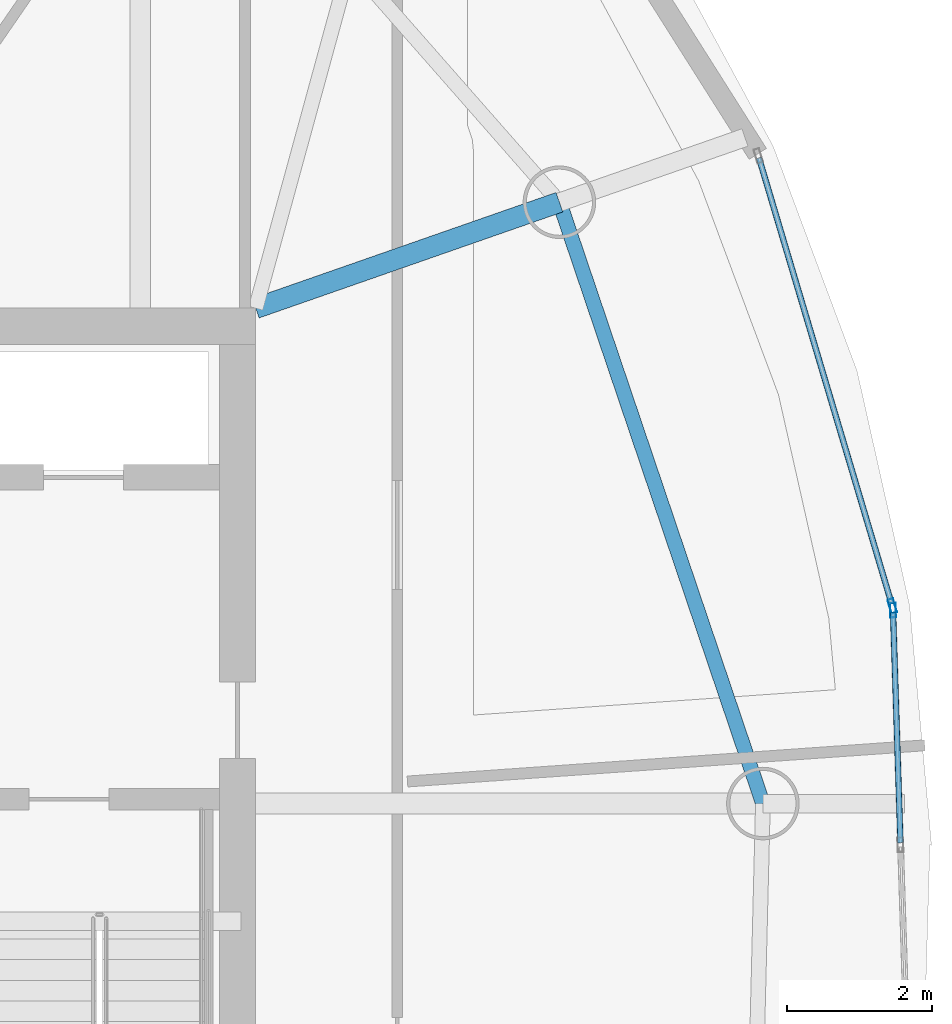
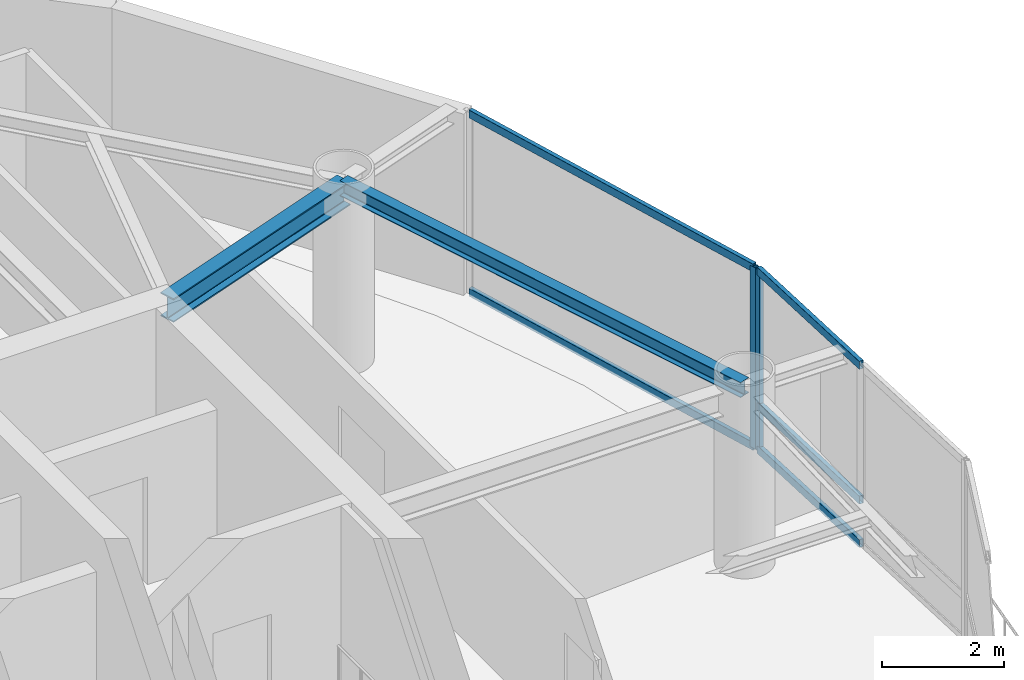
# One storey, part 10 of 23: 7 members, 2 beams, 2 elements without a shape of their own.
"""IFC4 building model written with IfcOpenShell, lengths in metres."""

import ifcopenshell
import ifcopenshell.guid

model = None  # the IFC model being written
_history = None  # IfcOwnerHistory: only IFC2X3 demands one
_inside = {}  # id of a spatial element -> (the spatial element, [elements in it])
_under = {}  # id of a project, library or spatial element -> (it, [spatial elements below it])
_declared = {}  # id of a project -> (the project, [libraries it declares])
_typed = {}  # id of a type object -> (the type object, [elements of that type])
_made_of = {}  # id of a material, layer set ... -> (it, [elements and type objects made of it])


def new_model(schema):
    """Start an empty IFC model of exactly this schema.

    Asked for "IFC4X3", IfcOpenShell would pick the latest addendum, in which some entities
    have other attributes; the version numbers below select the first issue.
    IFC2X3 requires an IfcOwnerHistory on every rooted entity: one is made here for all.
    """
    global model, _history
    if schema == "IFC4X3":
        model = ifcopenshell.file(schema_version=(4, 3, 0, 0))
    else:
        model = ifcopenshell.file(schema=schema)
    _inside.clear()
    _under.clear()
    _declared.clear()
    _typed.clear()
    _made_of.clear()
    _history = None
    if model.schema == "IFC2X3":
        org = make("IfcOrganization", Name="unknown")
        user = make(
            "IfcPersonAndOrganization",
            ThePerson=make("IfcPerson", FamilyName="unknown"),
            TheOrganization=org,
        )
        app = make(
            "IfcApplication",
            ApplicationDeveloper=org,
            Version="unknown",
            ApplicationFullName="unknown",
            ApplicationIdentifier="unknown",
        )
        _history = make(
            "IfcOwnerHistory",
            OwningUser=user,
            OwningApplication=app,
            ChangeAction="ADDED",
            CreationDate=0,
        )
    return model


def make(cls, **values):
    """One entity of the class cls with the attributes given. An attribute that is None is left unset."""
    return model.create_entity(
        cls, **{name: value for name, value in values.items() if value is not None}
    )


def rooted(cls, **values):
    """An entity with a GlobalId (a new one), such as an element, a storey or a relation."""
    return make(cls, GlobalId=ifcopenshell.guid.new(), OwnerHistory=_history, **values)


def si_unit(unit_type, name, prefix=None):
    """IfcSIUnit, for example si_unit("LENGTHUNIT", "METRE", prefix="MILLI")."""
    return make("IfcSIUnit", UnitType=unit_type, Prefix=prefix, Name=name)


def assignment(units):
    """IfcUnitAssignment: the units of a project."""
    return None if units is None else make("IfcUnitAssignment", Units=units)


def point(xyz):
    """IfcCartesianPoint."""
    return None if xyz is None else make("IfcCartesianPoint", Coordinates=xyz)


def direction(xyz):
    """IfcDirection."""
    return None if xyz is None else make("IfcDirection", DirectionRatios=xyz)


def frame(location, z_axis=None, x_axis=None):
    """IfcAxis2Placement3D, a coordinate frame: its origin and axes. An axis left out is left unset."""
    return make(
        "IfcAxis2Placement3D",
        Location=point(location),
        Axis=direction(z_axis),
        RefDirection=direction(x_axis),
    )


def frame_2d(location, x_axis=None):
    """IfcAxis2Placement2D, a coordinate frame in the plane: its origin and x axis."""
    return make(
        "IfcAxis2Placement2D", Location=point(location), RefDirection=direction(x_axis)
    )


def origin():
    """The frame at (0, 0, 0) with its axes left unset."""
    return frame((0.0, 0.0, 0.0))


def origin_2d():
    """The frame at (0, 0) in the plane with its x axis left unset."""
    return frame_2d((0.0, 0.0))


def place(relative_to, where):
    """IfcLocalPlacement: puts the frame where relative to a parent placement (None: the world)."""
    return make(
        "IfcLocalPlacement", PlacementRelTo=relative_to, RelativePlacement=where
    )


def context(
    kind, dimensions, precision=None, world=None, true_north=None, identifier=None
):
    """IfcGeometricRepresentationContext, for example the 3D "Model" context."""
    return make(
        "IfcGeometricRepresentationContext",
        ContextIdentifier=identifier,
        ContextType=kind,
        CoordinateSpaceDimension=dimensions,
        Precision=precision,
        WorldCoordinateSystem=world,
        TrueNorth=true_north,
    )


def subcontext(parent, identifier, kind, view, scale=None):
    """IfcGeometricRepresentationSubContext, for example "Body" below "Model"."""
    return make(
        "IfcGeometricRepresentationSubContext",
        ContextIdentifier=identifier,
        ContextType=kind,
        ParentContext=parent,
        TargetScale=scale,
        TargetView=view,
    )


def project(units=None, contexts=None):
    """IfcProject with its units and contexts."""
    return rooted(
        "IfcProject",
        Name="project",
        RepresentationContexts=contexts,
        UnitsInContext=assignment(units),
    )


def spatial(cls, under=None, at=None, **own):
    """A site, building, storey or space (cls), placed at a placement, below another one or the project."""
    s = rooted(cls, ObjectPlacement=at, **own)
    if under is not None:
        _under.setdefault(under.id(), (under, []))[1].append(s)
    return s


def profile(cls, at=None, kind="AREA", **sizes):
    """A parametric profile (cls). Its sizes go by their IFC names, for example OverallWidth=200.0."""
    return make(cls, ProfileType=kind, Position=at, **sizes)


def hollow_rectangle(**sizes):
    """IfcRectangleHollowProfileDef."""
    return profile("IfcRectangleHollowProfileDef", **sizes)


def i_section(**sizes):
    """IfcIShapeProfileDef."""
    return profile("IfcIShapeProfileDef", **sizes)


def extrude(swept, where, along, depth):
    """IfcExtrudedAreaSolid: the profile swept, set in the frame where, extruded along a direction by depth."""
    return make(
        "IfcExtrudedAreaSolid",
        SweptArea=swept,
        Position=where,
        ExtrudedDirection=direction(along),
        Depth=depth,
    )


def shape(context_of_items, identifier, shape_type, items):
    """IfcShapeRepresentation: the items that make up one representation, for example the "Body"."""
    return make(
        "IfcShapeRepresentation",
        ContextOfItems=context_of_items,
        RepresentationIdentifier=identifier,
        RepresentationType=shape_type,
        Items=items,
    )


def material(Name=None, Category=None):
    """IfcMaterial."""
    return make("IfcMaterial", Name=Name, Category=Category)


def layer(
    of_material, thickness, ventilated=None, Name=None, Category=None, Priority=None
):
    """IfcMaterialLayer: one layer of a wall or slab, of a material (None: an air gap)."""
    return make(
        "IfcMaterialLayer",
        Material=of_material,
        LayerThickness=thickness,
        IsVentilated=ventilated,
        Name=Name,
        Category=Category,
        Priority=Priority,
    )


def layer_set(layers, Name=None):
    """IfcMaterialLayerSet."""
    return make("IfcMaterialLayerSet", MaterialLayers=layers, LayerSetName=Name)


def material_profile(
    of_material, cross_section, Name=None, Category=None, Priority=None
):
    """IfcMaterialProfile: a cross section and its material."""
    return make(
        "IfcMaterialProfile",
        Name=Name,
        Material=of_material,
        Profile=cross_section,
        Priority=Priority,
        Category=Category,
    )


def profile_set(profiles, Name=None, composite=None):
    """IfcMaterialProfileSet."""
    return make(
        "IfcMaterialProfileSet",
        Name=Name,
        MaterialProfiles=profiles,
        CompositeProfile=composite,
    )


def made_of(thing, what):
    """Note that an element or type object is made of a material, layer set ...; save() writes the relation."""
    if what is not None:
        _made_of.setdefault(what.id(), (what, []))[1].append(thing)
    return thing


def type_object(cls, material=None, **own):
    """A type object (cls), such as IfcWallType, which elements share."""
    return made_of(rooted(cls, **own), material)


def element(
    cls,
    number,
    at=None,
    inside=None,
    cuts=None,
    type_object=None,
    material=None,
    context=None,
    identifier="Body",
    shape_type=None,
    held_by="IfcProductDefinitionShape",
    body=None,
    shapes=None,
    **own,
):
    """One element of the class cls, such as IfcWall. Its Tag is "e" and its number.

    at: its placement. inside: the storey or other place that contains it. cuts: it is an
    opening in that element (IfcRelVoidsElement). A single representation is given by context,
    identifier, shape_type and body (its items); several are given by shapes. held_by: the class
    of the entity that holds the representations. save() writes the other relations.
    """
    e = rooted(cls, Tag="e%d" % number, ObjectPlacement=at, **own)
    if body is not None:
        shapes = [shape(context, identifier, shape_type, body)]
    if shapes is not None:
        e.Representation = make(held_by, Representations=shapes)
    if inside is not None:
        _inside.setdefault(inside.id(), (inside, []))[1].append(e)
    if cuts is not None:
        rooted(
            "IfcRelVoidsElement", RelatingBuildingElement=cuts, RelatedOpeningElement=e
        )
    if type_object is not None:
        _typed.setdefault(type_object.id(), (type_object, []))[1].append(e)
    return made_of(e, material)


def aggregate(whole, parts):
    """IfcRelAggregates: a whole, such as a stair, and the parts it consists of."""
    return rooted("IfcRelAggregates", RelatingObject=whole, RelatedObjects=parts)


def save(model, path):
    """Write the relations noted so far, then the file.

    IfcRelAggregates (storeys below a building ...), IfcRelContainedInSpatialStructure (elements
    in a storey), IfcRelDefinesByType, IfcRelAssociatesMaterial and IfcRelDeclares: one each for
    every whole, place, type object, material and project.
    """
    for whole, parts in _under.values():
        aggregate(whole, parts)
    for where, things in _inside.values():
        rooted(
            "IfcRelContainedInSpatialStructure",
            RelatedElements=things,
            RelatingStructure=where,
        )
    for kind, things in _typed.values():
        rooted("IfcRelDefinesByType", RelatedObjects=things, RelatingType=kind)
    for what, things in _made_of.values():
        rooted("IfcRelAssociatesMaterial", RelatedObjects=things, RelatingMaterial=what)
    for by, libraries in _declared.values():
        rooted("IfcRelDeclares", RelatingContext=by, RelatedDefinitions=libraries)
    model.write(path)


model = new_model("IFC4")

# Units and contexts
model_context = context("Model", 3, precision=1e-05, world=origin(), true_north=direction((0.0, 1.0)))
body_context = subcontext(model_context, "Body", "Model", "MODEL_VIEW")
ifc_project = project(units=[si_unit("LENGTHUNIT", "METRE"), si_unit("AREAUNIT", "SQUARE_METRE"), si_unit("VOLUMEUNIT", "CUBIC_METRE"), si_unit("PLANEANGLEUNIT", "RADIAN"), si_unit("MASSUNIT", "GRAM", prefix="KILO")], contexts=[model_context])

# Site, building, storey
site_placement = place(None, origin())
site = spatial("IfcSite", under=ifc_project, at=site_placement, CompositionType="ELEMENT")
building_placement = place(site_placement, origin())
building = spatial("IfcBuilding", under=site, at=building_placement, Name="Bramvorn Convention Spire", CompositionType="ELEMENT")
storey_placement = place(building_placement, frame((0.0, 0.0, 295.949951171875)))
storey = spatial("IfcBuildingStorey", under=building, at=storey_placement, Name="L75", CompositionType="ELEMENT", Elevation=295.949951171875)

# Beams
ifc_material_1 = material(Name="Steel CSA G40.21 Grade 350 (350W)", Category="steel")
ifc_material_profile_1 = material_profile(ifc_material_1, i_section(OverallWidth=0.202880859375, OverallDepth=0.302978515625, WebThickness=0.007568359375, FlangeThickness=0.01318359375, FilletRadius=0.013916015625, at=origin_2d()))
ifc_profile_set_1 = profile_set([ifc_material_profile_1], Name="Steel CSA G40.21 Grade 350 (350W) - W310X60")
beam_type_1 = type_object("IfcBeamType", Name="BM-W310X60", PredefinedType="JOIST", material=ifc_profile_set_1)
beam_1_placement = place(storey_placement, frame((56.234619140625, 26.62939453125, 3.4736328125), z_axis=(-0.320531023763, 0.947238018032, 0.0), x_axis=(-0.947238018032, -0.320531023763, 0.0)))
element("IfcBeam", 1, at=beam_1_placement, inside=storey, type_object=beam_type_1, Name="L75 mega-column ring beam 04", PredefinedType="JOIST", context=body_context, shape_type="SweptSolid", body=[
    extrude(i_section(OverallWidth=0.202880859375, OverallDepth=0.302978515625, WebThickness=0.007568359375, FlangeThickness=0.01318359375, FilletRadius=0.013916015625, at=origin_2d()), origin(), (0.0, 0.0, 1.0), 8.74169921875),
])
ifc_material_profile_2 = material_profile(ifc_material_1, i_section(OverallWidth=0.283935546875, OverallDepth=0.47607421875, WebThickness=0.014892578125, FlangeThickness=0.02392578125, FilletRadius=0.01806640625, at=origin_2d()))
ifc_profile_set_2 = profile_set([ifc_material_profile_2], Name="Steel CSA G40.21 Grade 350 (350W) - W460X158")
beam_type_2 = type_object("IfcBeamType", Name="BM-W460X158", PredefinedType="SPANDREL", material=ifc_profile_set_2)
beam_2_placement = place(storey_placement, frame((49.25, 33.449951171875, 3.386962890625), z_axis=(0.944136391877, 0.329554962843, 0.0), x_axis=(-0.329554962843, 0.944136391877, 0.0)))
element("IfcBeam", 2, at=beam_2_placement, inside=storey, type_object=beam_type_2, Name="L75 radial floor girder MC05", PredefinedType="SPANDREL", context=body_context, shape_type="SweptSolid", body=[
    extrude(i_section(OverallWidth=0.283935546875, OverallDepth=0.47607421875, WebThickness=0.014892578125, FlangeThickness=0.02392578125, FilletRadius=0.01806640625, at=origin_2d()), origin(), (0.0, 0.0, 1.0), 4.43017578125),
])

# Curtain wall, member
ifc_material_2 = material(Name="Anodised Bronze Unitised Curtain Wall", Category="aluminium")
ifc_layer = layer(ifc_material_2, 0.179931640625)
ifc_layer_set = layer_set([ifc_layer], Name="Anodised Bronze Unitised Curtain Wall - CW-OFF-FRIT")
curtain_wall_type = type_object("IfcCurtainWallType", Name="CW-OFF-FRIT", PredefinedType="USERDEFINED", material=ifc_layer_set)
curtain_wall_1_placement = place(storey_placement, origin())
curtain_wall_1 = element("IfcCurtainWall", 3, at=curtain_wall_1_placement, inside=storey, type_object=curtain_wall_type, Name="L75 fritted glass curtain wall 05", ObjectType="UNITISED CURTAIN WALL", PredefinedType="USERDEFINED")
ifc_material_3 = material(Name="Anodised Bronze Aluminium 6063-T6", Category="aluminium")
ifc_material_profile_3 = material_profile(ifc_material_3, hollow_rectangle(XDim=0.080078125, YDim=0.199951171875, WallThickness=0.00390625, InnerFilletRadius=0.0009765625, OuterFilletRadius=0.00390625, at=origin_2d()))
ifc_profile_set_3 = profile_set([ifc_material_profile_3], Name="Anodised Bronze Aluminium 6063-T6 - CWM80X200")
member_type_1 = type_object("IfcMemberType", Name="CW-MUL-180", PredefinedType="MULLION", material=ifc_profile_set_3)
member_1_placement = place(storey_placement, frame((58.02587890625, 29.290771484375, 0.0), z_axis=(0.0, 0.0, 1.0), x_axis=(0.999483136292, 0.032147476854, 0.0)))
member_1 = element("IfcMember", 4, at=member_1_placement, type_object=member_type_1, Name="CW3 mullion 1", PredefinedType="MULLION", context=body_context, shape_type="SweptSolid", body=[
    extrude(hollow_rectangle(XDim=0.080078125, YDim=0.199951171875, WallThickness=0.00390625, InnerFilletRadius=0.0009765625, OuterFilletRadius=0.00390625, at=origin_2d()), origin(), (0.0, 0.0, 1.0), 3.625),
])

curtain_wall_2_placement = place(storey_placement, origin())
curtain_wall_2 = element("IfcCurtainWall", 5, at=curtain_wall_2_placement, inside=storey, type_object=curtain_wall_type, Name="L75 fritted glass curtain wall 06", ObjectType="UNITISED CURTAIN WALL", PredefinedType="USERDEFINED")
member_2_placement = place(storey_placement, frame((58.016357421875, 29.349365234375, 0.0), z_axis=(0.0, 0.0, 1.0), x_axis=(0.958477406758, 0.285168477807, 0.0)))
member_2 = element("IfcMember", 6, at=member_2_placement, type_object=member_type_1, Name="CW3 mullion 2", PredefinedType="MULLION", context=body_context, shape_type="SweptSolid", body=[
    extrude(hollow_rectangle(XDim=0.080078125, YDim=0.199951171875, WallThickness=0.00390625, InnerFilletRadius=0.0009765625, OuterFilletRadius=0.00390625, at=origin_2d()), origin(), (0.0, 0.0, 1.0), 3.625),
])

# Member
ifc_material_profile_4 = material_profile(ifc_material_3, hollow_rectangle(XDim=0.080078125, YDim=0.159912109375, WallThickness=0.00390625, InnerFilletRadius=0.0009765625, OuterFilletRadius=0.00390625, at=origin_2d()))
ifc_profile_set_4 = profile_set([ifc_material_profile_4], Name="Anodised Bronze Aluminium 6063-T6 - CWT80X160")
member_type_2 = type_object("IfcMemberType", Name="CW-TRN-150", PredefinedType="USERDEFINED", material=ifc_profile_set_4)
member_3_placement = place(storey_placement, frame((58.026611328125, 29.2607421875, 0.030029296875), z_axis=(0.032161951987, -0.999482670607, 0.0), x_axis=(0.999482670607, 0.032161951987, 0.0)))
member_3 = element("IfcMember", 7, at=member_3_placement, type_object=member_type_2, Name="CW3 transom 1.1", ObjectType="TRANSOM", PredefinedType="USERDEFINED", context=body_context, shape_type="SweptSolid", body=[
    extrude(hollow_rectangle(XDim=0.080078125, YDim=0.159912109375, WallThickness=0.00390625, InnerFilletRadius=0.0009765625, OuterFilletRadius=0.00390625, at=origin_2d()), origin(), (0.0, 0.0, 1.0), 3.173095703125),
])

member_4_placement = place(storey_placement, frame((58.026611328125, 29.2607421875, 0.900146484375), z_axis=(0.032161951987, -0.999482670607, 0.0), x_axis=(0.999482670607, 0.032161951987, 0.0)))
member_4 = element("IfcMember", 8, at=member_4_placement, type_object=member_type_2, Name="CW3 transom 1.2", ObjectType="TRANSOM", PredefinedType="USERDEFINED", context=body_context, shape_type="SweptSolid", body=[
    extrude(hollow_rectangle(XDim=0.080078125, YDim=0.159912109375, WallThickness=0.00390625, InnerFilletRadius=0.0009765625, OuterFilletRadius=0.00390625, at=origin_2d()), origin(), (0.0, 0.0, 1.0), 3.173095703125),
])

member_5_placement = place(storey_placement, frame((58.026611328125, 29.2607421875, 3.594970703125), z_axis=(0.032161951987, -0.999482670607, 0.0), x_axis=(0.999482670607, 0.032161951987, 0.0)))
member_5 = element("IfcMember", 9, at=member_5_placement, type_object=member_type_2, Name="CW3 transom 1.3", ObjectType="TRANSOM", PredefinedType="USERDEFINED", context=body_context, shape_type="SweptSolid", body=[
    extrude(hollow_rectangle(XDim=0.080078125, YDim=0.159912109375, WallThickness=0.00390625, InnerFilletRadius=0.0009765625, OuterFilletRadius=0.00390625, at=origin_2d()), origin(), (0.0, 0.0, 1.0), 3.173095703125),
])

aggregate(curtain_wall_1, [member_1, member_3, member_4, member_5])

member_6_placement = place(storey_placement, frame((56.1806640625, 35.519287109375, 0.030029296875), z_axis=(0.285137745559, -0.958486549753, 0.0), x_axis=(0.958486549753, 0.285137745559, 0.0)))
member_6 = element("IfcMember", 10, at=member_6_placement, type_object=member_type_2, Name="CW3 transom 1.1", ObjectType="TRANSOM", PredefinedType="USERDEFINED", context=body_context, shape_type="SweptSolid", body=[
    extrude(hollow_rectangle(XDim=0.080078125, YDim=0.159912109375, WallThickness=0.00390625, InnerFilletRadius=0.0009765625, OuterFilletRadius=0.00390625, at=origin_2d()), origin(), (0.0, 0.0, 1.0), 6.406982421875),
])

member_7_placement = place(storey_placement, frame((56.1806640625, 35.519287109375, 3.594970703125), z_axis=(0.285137745559, -0.958486549753, 0.0), x_axis=(0.958486549753, 0.285137745559, 0.0)))
member_7 = element("IfcMember", 11, at=member_7_placement, type_object=member_type_2, Name="CW3 transom 1.2", ObjectType="TRANSOM", PredefinedType="USERDEFINED", context=body_context, shape_type="SweptSolid", body=[
    extrude(hollow_rectangle(XDim=0.080078125, YDim=0.159912109375, WallThickness=0.00390625, InnerFilletRadius=0.0009765625, OuterFilletRadius=0.00390625, at=origin_2d()), origin(), (0.0, 0.0, 1.0), 6.406982421875),
])

aggregate(curtain_wall_2, [member_2, member_6, member_7])

save(model, "model.ifc")
